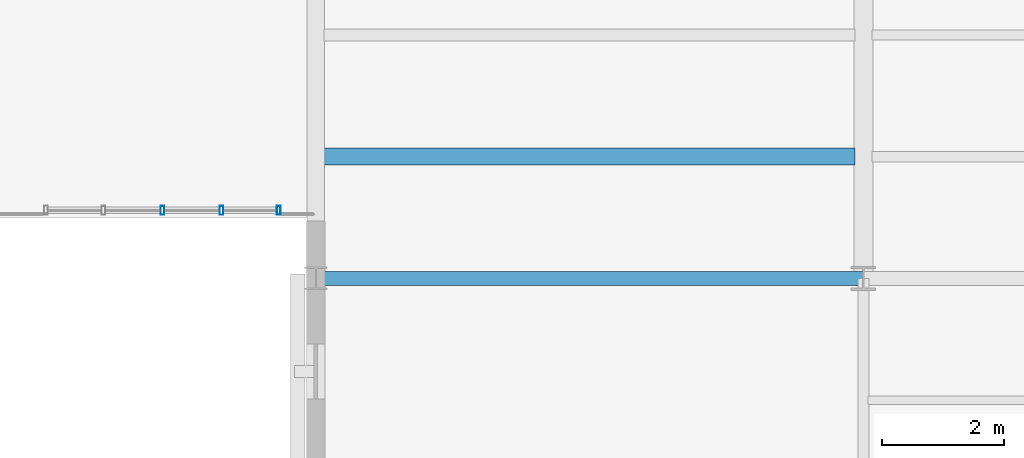
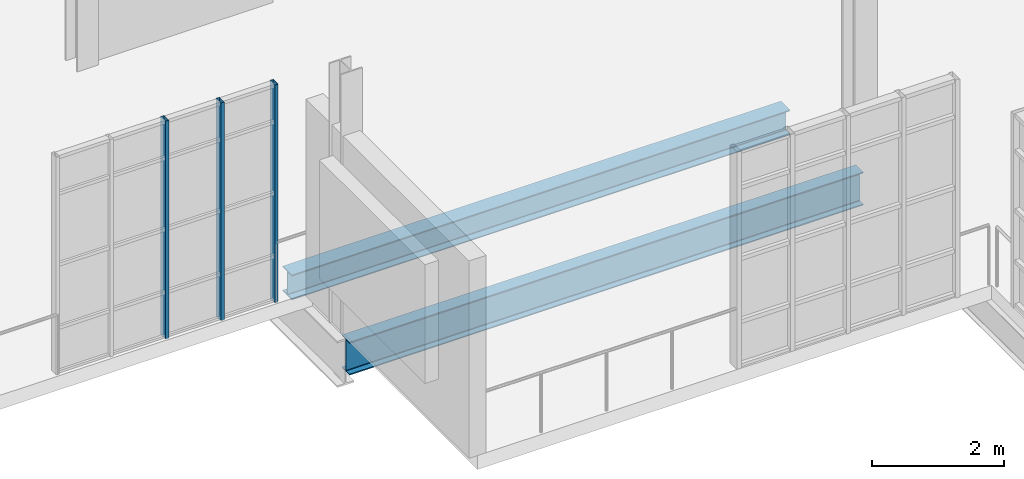
# One storey, part 38 of 122: 3 members, 2 beams, 1 element without a shape of its own.
"""IFC4 building model written with IfcOpenShell, lengths in metres."""

import ifcopenshell
import ifcopenshell.guid

model = None  # the IFC model being written
_history = None  # IfcOwnerHistory: only IFC2X3 demands one
_inside = {}  # id of a spatial element -> (the spatial element, [elements in it])
_under = {}  # id of a project, library or spatial element -> (it, [spatial elements below it])
_declared = {}  # id of a project -> (the project, [libraries it declares])
_typed = {}  # id of a type object -> (the type object, [elements of that type])
_made_of = {}  # id of a material, layer set ... -> (it, [elements and type objects made of it])


def new_model(schema):
    """Start an empty IFC model of exactly this schema.

    Asked for "IFC4X3", IfcOpenShell would pick the latest addendum, in which some entities
    have other attributes; the version numbers below select the first issue.
    IFC2X3 requires an IfcOwnerHistory on every rooted entity: one is made here for all.
    """
    global model, _history
    if schema == "IFC4X3":
        model = ifcopenshell.file(schema_version=(4, 3, 0, 0))
    else:
        model = ifcopenshell.file(schema=schema)
    _inside.clear()
    _under.clear()
    _declared.clear()
    _typed.clear()
    _made_of.clear()
    _history = None
    if model.schema == "IFC2X3":
        org = make("IfcOrganization", Name="unknown")
        user = make(
            "IfcPersonAndOrganization",
            ThePerson=make("IfcPerson", FamilyName="unknown"),
            TheOrganization=org,
        )
        app = make(
            "IfcApplication",
            ApplicationDeveloper=org,
            Version="unknown",
            ApplicationFullName="unknown",
            ApplicationIdentifier="unknown",
        )
        _history = make(
            "IfcOwnerHistory",
            OwningUser=user,
            OwningApplication=app,
            ChangeAction="ADDED",
            CreationDate=0,
        )
    return model


def make(cls, **values):
    """One entity of the class cls with the attributes given. An attribute that is None is left unset."""
    return model.create_entity(
        cls, **{name: value for name, value in values.items() if value is not None}
    )


def rooted(cls, **values):
    """An entity with a GlobalId (a new one), such as an element, a storey or a relation."""
    return make(cls, GlobalId=ifcopenshell.guid.new(), OwnerHistory=_history, **values)


def si_unit(unit_type, name, prefix=None):
    """IfcSIUnit, for example si_unit("LENGTHUNIT", "METRE", prefix="MILLI")."""
    return make("IfcSIUnit", UnitType=unit_type, Prefix=prefix, Name=name)


def assignment(units):
    """IfcUnitAssignment: the units of a project."""
    return None if units is None else make("IfcUnitAssignment", Units=units)


def point(xyz):
    """IfcCartesianPoint."""
    return None if xyz is None else make("IfcCartesianPoint", Coordinates=xyz)


def direction(xyz):
    """IfcDirection."""
    return None if xyz is None else make("IfcDirection", DirectionRatios=xyz)


def frame(location, z_axis=None, x_axis=None):
    """IfcAxis2Placement3D, a coordinate frame: its origin and axes. An axis left out is left unset."""
    return make(
        "IfcAxis2Placement3D",
        Location=point(location),
        Axis=direction(z_axis),
        RefDirection=direction(x_axis),
    )


def frame_2d(location, x_axis=None):
    """IfcAxis2Placement2D, a coordinate frame in the plane: its origin and x axis."""
    return make(
        "IfcAxis2Placement2D", Location=point(location), RefDirection=direction(x_axis)
    )


def origin():
    """The frame at (0, 0, 0) with its axes left unset."""
    return frame((0.0, 0.0, 0.0))


def origin_2d():
    """The frame at (0, 0) in the plane with its x axis left unset."""
    return frame_2d((0.0, 0.0))


def place(relative_to, where):
    """IfcLocalPlacement: puts the frame where relative to a parent placement (None: the world)."""
    return make(
        "IfcLocalPlacement", PlacementRelTo=relative_to, RelativePlacement=where
    )


def context(
    kind, dimensions, precision=None, world=None, true_north=None, identifier=None
):
    """IfcGeometricRepresentationContext, for example the 3D "Model" context."""
    return make(
        "IfcGeometricRepresentationContext",
        ContextIdentifier=identifier,
        ContextType=kind,
        CoordinateSpaceDimension=dimensions,
        Precision=precision,
        WorldCoordinateSystem=world,
        TrueNorth=true_north,
    )


def subcontext(parent, identifier, kind, view, scale=None):
    """IfcGeometricRepresentationSubContext, for example "Body" below "Model"."""
    return make(
        "IfcGeometricRepresentationSubContext",
        ContextIdentifier=identifier,
        ContextType=kind,
        ParentContext=parent,
        TargetScale=scale,
        TargetView=view,
    )


def project(units=None, contexts=None):
    """IfcProject with its units and contexts."""
    return rooted(
        "IfcProject",
        Name="project",
        RepresentationContexts=contexts,
        UnitsInContext=assignment(units),
    )


def spatial(cls, under=None, at=None, **own):
    """A site, building, storey or space (cls), placed at a placement, below another one or the project."""
    s = rooted(cls, ObjectPlacement=at, **own)
    if under is not None:
        _under.setdefault(under.id(), (under, []))[1].append(s)
    return s


def profile(cls, at=None, kind="AREA", **sizes):
    """A parametric profile (cls). Its sizes go by their IFC names, for example OverallWidth=200.0."""
    return make(cls, ProfileType=kind, Position=at, **sizes)


def hollow_rectangle(**sizes):
    """IfcRectangleHollowProfileDef."""
    return profile("IfcRectangleHollowProfileDef", **sizes)


def i_section(**sizes):
    """IfcIShapeProfileDef."""
    return profile("IfcIShapeProfileDef", **sizes)


def extrude(swept, where, along, depth):
    """IfcExtrudedAreaSolid: the profile swept, set in the frame where, extruded along a direction by depth."""
    return make(
        "IfcExtrudedAreaSolid",
        SweptArea=swept,
        Position=where,
        ExtrudedDirection=direction(along),
        Depth=depth,
    )


def shape(context_of_items, identifier, shape_type, items):
    """IfcShapeRepresentation: the items that make up one representation, for example the "Body"."""
    return make(
        "IfcShapeRepresentation",
        ContextOfItems=context_of_items,
        RepresentationIdentifier=identifier,
        RepresentationType=shape_type,
        Items=items,
    )


def material(Name=None, Category=None):
    """IfcMaterial."""
    return make("IfcMaterial", Name=Name, Category=Category)


def layer(
    of_material, thickness, ventilated=None, Name=None, Category=None, Priority=None
):
    """IfcMaterialLayer: one layer of a wall or slab, of a material (None: an air gap)."""
    return make(
        "IfcMaterialLayer",
        Material=of_material,
        LayerThickness=thickness,
        IsVentilated=ventilated,
        Name=Name,
        Category=Category,
        Priority=Priority,
    )


def layer_set(layers, Name=None):
    """IfcMaterialLayerSet."""
    return make("IfcMaterialLayerSet", MaterialLayers=layers, LayerSetName=Name)


def material_profile(
    of_material, cross_section, Name=None, Category=None, Priority=None
):
    """IfcMaterialProfile: a cross section and its material."""
    return make(
        "IfcMaterialProfile",
        Name=Name,
        Material=of_material,
        Profile=cross_section,
        Priority=Priority,
        Category=Category,
    )


def profile_set(profiles, Name=None, composite=None):
    """IfcMaterialProfileSet."""
    return make(
        "IfcMaterialProfileSet",
        Name=Name,
        MaterialProfiles=profiles,
        CompositeProfile=composite,
    )


def made_of(thing, what):
    """Note that an element or type object is made of a material, layer set ...; save() writes the relation."""
    if what is not None:
        _made_of.setdefault(what.id(), (what, []))[1].append(thing)
    return thing


def type_object(cls, material=None, **own):
    """A type object (cls), such as IfcWallType, which elements share."""
    return made_of(rooted(cls, **own), material)


def element(
    cls,
    number,
    at=None,
    inside=None,
    cuts=None,
    type_object=None,
    material=None,
    context=None,
    identifier="Body",
    shape_type=None,
    held_by="IfcProductDefinitionShape",
    body=None,
    shapes=None,
    **own,
):
    """One element of the class cls, such as IfcWall. Its Tag is "e" and its number.

    at: its placement. inside: the storey or other place that contains it. cuts: it is an
    opening in that element (IfcRelVoidsElement). A single representation is given by context,
    identifier, shape_type and body (its items); several are given by shapes. held_by: the class
    of the entity that holds the representations. save() writes the other relations.
    """
    e = rooted(cls, Tag="e%d" % number, ObjectPlacement=at, **own)
    if body is not None:
        shapes = [shape(context, identifier, shape_type, body)]
    if shapes is not None:
        e.Representation = make(held_by, Representations=shapes)
    if inside is not None:
        _inside.setdefault(inside.id(), (inside, []))[1].append(e)
    if cuts is not None:
        rooted(
            "IfcRelVoidsElement", RelatingBuildingElement=cuts, RelatedOpeningElement=e
        )
    if type_object is not None:
        _typed.setdefault(type_object.id(), (type_object, []))[1].append(e)
    return made_of(e, material)


def aggregate(whole, parts):
    """IfcRelAggregates: a whole, such as a stair, and the parts it consists of."""
    return rooted("IfcRelAggregates", RelatingObject=whole, RelatedObjects=parts)


def save(model, path):
    """Write the relations noted so far, then the file.

    IfcRelAggregates (storeys below a building ...), IfcRelContainedInSpatialStructure (elements
    in a storey), IfcRelDefinesByType, IfcRelAssociatesMaterial and IfcRelDeclares: one each for
    every whole, place, type object, material and project.
    """
    for whole, parts in _under.values():
        aggregate(whole, parts)
    for where, things in _inside.values():
        rooted(
            "IfcRelContainedInSpatialStructure",
            RelatedElements=things,
            RelatingStructure=where,
        )
    for kind, things in _typed.values():
        rooted("IfcRelDefinesByType", RelatedObjects=things, RelatingType=kind)
    for what, things in _made_of.values():
        rooted("IfcRelAssociatesMaterial", RelatedObjects=things, RelatingMaterial=what)
    for by, libraries in _declared.values():
        rooted("IfcRelDeclares", RelatingContext=by, RelatedDefinitions=libraries)
    model.write(path)


model = new_model("IFC4")

# Units and contexts
model_context = context("Model", 3, precision=1e-05, world=origin(), true_north=direction((0.0, 1.0)))
body_context = subcontext(model_context, "Body", "Model", "MODEL_VIEW")
ifc_project = project(units=[si_unit("LENGTHUNIT", "METRE"), si_unit("AREAUNIT", "SQUARE_METRE"), si_unit("VOLUMEUNIT", "CUBIC_METRE"), si_unit("PLANEANGLEUNIT", "RADIAN"), si_unit("MASSUNIT", "GRAM", prefix="KILO"), si_unit("THERMODYNAMICTEMPERATUREUNIT", "KELVIN"), si_unit("POWERUNIT", "WATT")], contexts=[model_context])

# Site, building, storey
site_placement = place(None, origin())
site = spatial("IfcSite", under=ifc_project, at=site_placement, CompositionType="ELEMENT")
building_placement = place(site_placement, origin())
building = spatial("IfcBuilding", under=site, at=building_placement, Name="Zelmaris Science Centre", CompositionType="ELEMENT")
storey_placement = place(building_placement, frame((0.0, 0.0, 10.800048828125)))
storey = spatial("IfcBuildingStorey", under=building, at=storey_placement, Name="L02", CompositionType="ELEMENT", Elevation=10.800048828125)

# Curtain wall, members
ifc_material_1 = material(Name="Anodised architectural aluminium 6063-T6", Category="aluminium")
ifc_layer = layer(ifc_material_1, 0.219970703125, Name="Anodised architectural aluminium 6063-T6")
ifc_layer_set = layer_set([ifc_layer], Name="Anodised architectural aluminium 6063-T6")
curtain_wall_type = type_object("IfcCurtainWallType", Name="Curtain Wall CW-04", PredefinedType="USERDEFINED", material=ifc_layer_set)
curtain_wall_placement = place(storey_placement, origin())
curtain_wall = element("IfcCurtainWall", 1, at=curtain_wall_placement, inside=storey, type_object=curtain_wall_type, Name="L02 Unitised curtain wall 268", ObjectType="GLAZED CURTAIN WALL", PredefinedType="USERDEFINED")
ifc_material_profile_1 = material_profile(ifc_material_1, hollow_rectangle(XDim=0.06005859375, YDim=0.14990234375, WallThickness=0.00341796875, at=origin_2d()), Name="ALU-MUL-60X150")
ifc_profile_set_1 = profile_set([ifc_material_profile_1], Name="Anodised architectural aluminium 6063-T6")
member_type = type_object("IfcMemberType", Name="ALU-MUL-60X150", PredefinedType="MULLION", material=ifc_profile_set_1)
member_1_placement = place(storey_placement, frame((107.391357421875, 49.11767578125, -0.01513671875), z_axis=(0.0, 0.0, 1.0), x_axis=(-0.999999955983, 0.000296705968, 0.0)))
member_1 = element("IfcMember", 2, at=member_1_placement, type_object=member_type, Name="CW-04 mullion 1", PredefinedType="MULLION", context=body_context, shape_type="SweptSolid", body=[
    extrude(hollow_rectangle(XDim=0.06005859375, YDim=0.14990234375, WallThickness=0.00341796875, at=origin_2d()), origin(), (0.0, 0.0, 1.0), 4.03515625),
])
member_2_placement = place(storey_placement, frame((106.44775390625, 49.117919921875, -0.01513671875), z_axis=(0.0, 0.0, 1.0), x_axis=(-0.999999955983, 0.000296705968, 0.0)))
member_2 = element("IfcMember", 3, at=member_2_placement, type_object=member_type, Name="CW-04 mullion 2", PredefinedType="MULLION", context=body_context, shape_type="SweptSolid", body=[
    extrude(hollow_rectangle(XDim=0.06005859375, YDim=0.14990234375, WallThickness=0.00341796875, at=origin_2d()), origin(), (0.0, 0.0, 1.0), 4.03515625),
])
member_3_placement = place(storey_placement, frame((105.47802734375, 49.1181640625, -0.01513671875), z_axis=(0.0, 0.0, 1.0), x_axis=(-0.999999955983, 0.000296705968, 0.0)))
member_3 = element("IfcMember", 4, at=member_3_placement, type_object=member_type, Name="CW-04 mullion 3", PredefinedType="MULLION", context=body_context, shape_type="SweptSolid", body=[
    extrude(hollow_rectangle(XDim=0.06005859375, YDim=0.14990234375, WallThickness=0.00341796875, at=origin_2d()), origin(), (0.0, 0.0, 1.0), 4.03515625),
])
aggregate(curtain_wall, [member_1, member_2, member_3])

# Beams
ifc_material_2 = material(Name="Steel ASTM A992 Grade 50", Category="steel")
ifc_material_profile_2 = material_profile(ifc_material_2, i_section(OverallWidth=0.22900390625, OverallDepth=0.612060546875, WebThickness=0.011962890625, FlangeThickness=0.01953125, FilletRadius=0.014892578125, at=origin_2d()), Name="W24X84")
ifc_profile_set_2 = profile_set([ifc_material_profile_2], Name="Steel ASTM A992 Grade 50")
beam_type_1 = type_object("IfcBeamType", Name="Beam G-16 W24X84", PredefinedType="BEAM", material=ifc_profile_set_2)
beam_1_placement = place(storey_placement, frame((108.0, 48.0, -0.566162109375), z_axis=(1.0, 0.0, 0.0), x_axis=(0.0, 1.0, 0.0)))
element("IfcBeam", 5, at=beam_1_placement, inside=storey, type_object=beam_type_1, Name="L02 East-west girder 567", PredefinedType="BEAM", context=body_context, shape_type="SweptSolid", body=[
    extrude(i_section(OverallWidth=0.22900390625, OverallDepth=0.612060546875, WebThickness=0.011962890625, FlangeThickness=0.01953125, FilletRadius=0.014892578125, at=origin_2d()), origin(), (0.0, 0.0, 1.0), 9.0),
])
ifc_material_profile_3 = material_profile(ifc_material_2, i_section(OverallWidth=0.279052734375, OverallDepth=0.4619140625, WebThickness=0.0107421875, FlangeThickness=0.017333984375, FilletRadius=0.012939453125, at=origin_2d()), Name="W18X76")
ifc_profile_set_3 = profile_set([ifc_material_profile_3], Name="Steel ASTM A992 Grade 50")
beam_type_2 = type_object("IfcBeamType", Name="Beam J-03 W18X76", PredefinedType="JOIST", material=ifc_profile_set_3)
beam_2_placement = place(storey_placement, frame((108.131103515625, 50.0, -0.490966796875), z_axis=(1.0, 0.0, 0.0), x_axis=(0.0, 1.0, 0.0)))
element("IfcBeam", 6, at=beam_2_placement, inside=storey, type_object=beam_type_2, Name="L02 Composite floor joist 272", PredefinedType="JOIST", context=body_context, shape_type="SweptSolid", body=[
    extrude(i_section(OverallWidth=0.279052734375, OverallDepth=0.4619140625, WebThickness=0.0107421875, FlangeThickness=0.017333984375, FilletRadius=0.012939453125, at=origin_2d()), origin(), (0.0, 0.0, 1.0), 8.727783203125),
])

save(model, "model.ifc")
